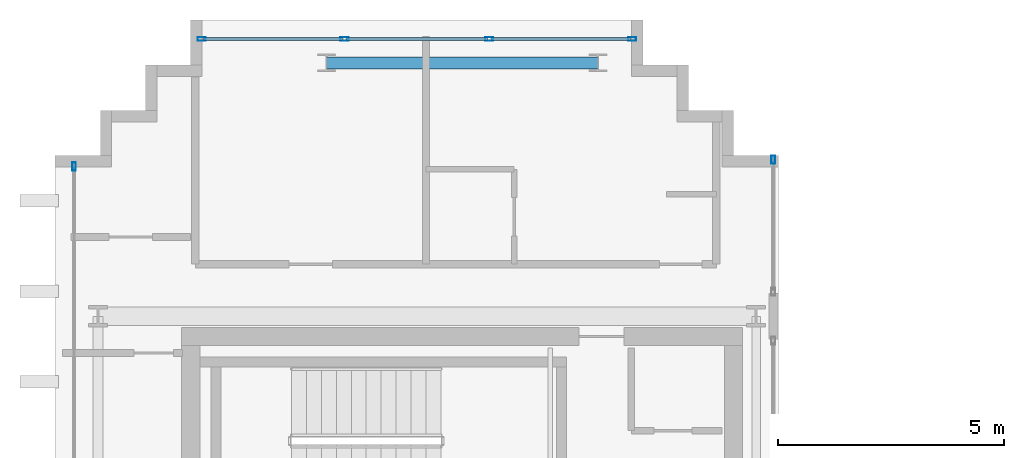
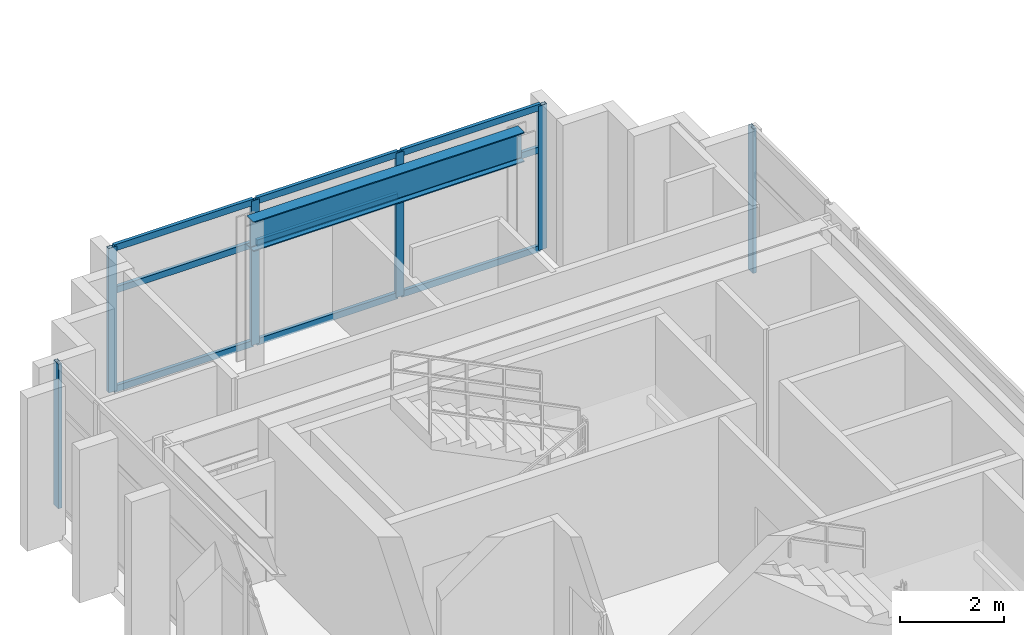
# One storey, part 16 of 25: 15 members, 1 beam, 3 elements without a shape of their own.
"""IFC4 building model written with IfcOpenShell, lengths in metres."""

from ifc_helpers import new_model, si_unit, direction, frame, origin, origin_2d, place, context, subcontext, project, spatial, hollow_rectangle, i_section, extrude, source, transform, mapped, material, layer, layer_set, material_profile, profile_set, type_object, element, aggregate, save


model = new_model("IFC4")

# Units and contexts
model_context = context("Model", 3, precision=1e-05, world=origin(), true_north=direction((0.0, 1.0)))
body_context = subcontext(model_context, "Body", "Model", "MODEL_VIEW")
ifc_project = project(units=[si_unit("LENGTHUNIT", "METRE"), si_unit("AREAUNIT", "SQUARE_METRE"), si_unit("VOLUMEUNIT", "CUBIC_METRE"), si_unit("PLANEANGLEUNIT", "RADIAN"), si_unit("MASSUNIT", "GRAM", prefix="KILO")], contexts=[model_context])

# Site, building, storey
site_placement = place(None, origin())
site = spatial("IfcSite", under=ifc_project, at=site_placement, CompositionType="ELEMENT")
building_placement = place(site_placement, origin())
building = spatial("IfcBuilding", under=site, at=building_placement, Name="Ocotamira Hotel", CompositionType="ELEMENT")
storey_placement = place(building_placement, frame((0.0, 0.0, 261.60009765625)))
storey = spatial("IfcBuildingStorey", under=building, at=storey_placement, Name="L66", CompositionType="ELEMENT", Elevation=261.60009765625)

# Beam
ifc_material_1 = material(Name="Steel ASTM A992 Grade 50", Category="steel")
ifc_material_profile_1 = material_profile(ifc_material_1, i_section(OverallWidth=0.256103515625, OverallDepth=0.693115234375, WebThickness=0.014404296875, FlangeThickness=0.023681640625, FilletRadius=0.01611328125, at=origin_2d()), Name="W27X114")
ifc_profile_set_1 = profile_set([ifc_material_profile_1], Name="Steel ASTM A992 Grade 50")
beam_type = type_object("IfcBeamType", Name="BM-PRIM-W27X114", PredefinedType="BEAM", material=ifc_profile_set_1)
shared_shape_1 = source(origin(), body_context, "Body", "SweptSolid", [
    extrude(i_section(OverallWidth=0.256103515625, OverallDepth=0.693115234375, WebThickness=0.014404296875, FlangeThickness=0.023681640625, FilletRadius=0.01611328125, at=origin_2d()), origin(), (0.0, 0.0, 1.0), 6.0),
])
beam_placement = place(storey_placement, frame((14.0, 43.050048828125, 3.033447265625), z_axis=(1.0, 0.0, 0.0), x_axis=(0.0, 1.0, 0.0)))
element("IfcBeam", 1, at=beam_placement, inside=storey, type_object=beam_type, Name="L66 Girder Y43.05 X14-20", PredefinedType="BEAM", context=body_context, shape_type="MappedRepresentation", body=[
    mapped(shared_shape_1, transform((0.0, 0.0, 0.0), scale=1.0)),
])

# Curtain wall, members
ifc_material_2 = material(Name="Anodised pale-metal aluminium and solar glass", Category="aluminium")
ifc_layer = layer(ifc_material_2, 0.2099609375)
ifc_layer_set = layer_set([ifc_layer], Name="Anodised pale-metal aluminium and solar glass")
curtain_wall_type = type_object("IfcCurtainWallType", Name="CW-SYS7-PEAK", PredefinedType="NOTDEFINED", material=ifc_layer_set)
curtain_wall_1_placement = place(storey_placement, origin())
curtain_wall_1 = element("IfcCurtainWall", 2, at=curtain_wall_1_placement, inside=storey, type_object=curtain_wall_type, Name="L66 Curtain Wall CW-7 CW-L66-WN", PredefinedType="NOTDEFINED")
ifc_material_3 = material(Name="Anodised pale-metal aluminium 6063-T6", Category="aluminium")
ifc_material_profile_2 = material_profile(ifc_material_3, hollow_rectangle(XDim=0.080078125, YDim=0.179931640625, WallThickness=0.006103515625, at=origin_2d()), Name="HSS180X80X6")
ifc_profile_set_2 = profile_set([ifc_material_profile_2], Name="Anodised pale-metal aluminium 6063-T6")
member_type_1 = type_object("IfcMemberType", Name="CWM-180X75", PredefinedType="MULLION", material=ifc_profile_set_2)
shared_shape_2 = source(origin(), body_context, "Body", "SweptSolid", [
    extrude(hollow_rectangle(XDim=0.080078125, YDim=0.179931640625, WallThickness=0.006103515625, at=origin_2d()), origin(), (0.0, 0.0, 1.0), 3.3798828125),
])
member_1_placement = place(storey_placement, frame((11.239990234375, 43.580078125, 0.0), z_axis=(0.0, 0.0, 1.0), x_axis=(0.0, 1.0, 0.0)))
member_1 = element("IfcMember", 3, at=member_1_placement, type_object=member_type_1, Name="CW-7 mullion 1", PredefinedType="MULLION", context=body_context, shape_type="MappedRepresentation", body=[
    mapped(shared_shape_2, transform((0.0, 0.0, 0.0), scale=1.0)),
])
member_2_placement = place(storey_placement, frame((14.39990234375, 43.580078125, 0.0), z_axis=(0.0, 0.0, 1.0), x_axis=(0.0, 1.0, 0.0)))
member_2 = element("IfcMember", 4, at=member_2_placement, type_object=member_type_1, Name="CW-7 mullion 2", PredefinedType="MULLION", context=body_context, shape_type="MappedRepresentation", body=[
    mapped(shared_shape_2, transform((0.0, 0.0, 0.0), scale=1.0)),
])
member_3_placement = place(storey_placement, frame((17.60009765625, 43.580078125, 0.0), z_axis=(0.0, 0.0, 1.0), x_axis=(0.0, 1.0, 0.0)))
member_3 = element("IfcMember", 5, at=member_3_placement, type_object=member_type_1, Name="CW-7 mullion 3", PredefinedType="MULLION", context=body_context, shape_type="MappedRepresentation", body=[
    mapped(shared_shape_2, transform((0.0, 0.0, 0.0), scale=1.0)),
])
member_4_placement = place(storey_placement, frame((20.760009765625, 43.580078125, 0.0), z_axis=(0.0, 0.0, 1.0), x_axis=(0.0, 1.0, 0.0)))
member_4 = element("IfcMember", 6, at=member_4_placement, type_object=member_type_1, Name="CW-7 mullion 4", PredefinedType="MULLION", context=body_context, shape_type="MappedRepresentation", body=[
    mapped(shared_shape_2, transform((0.0, 0.0, 0.0), scale=1.0)),
])

# Curtain wall, member
curtain_wall_2_placement = place(storey_placement, origin())
curtain_wall_2 = element("IfcCurtainWall", 7, at=curtain_wall_2_placement, inside=storey, type_object=curtain_wall_type, Name="L66 Curtain Wall CW-7 CW-L66-WO2", PredefinedType="NOTDEFINED")
member_5_placement = place(storey_placement, frame((8.419921875, 40.760009765625, 0.0), z_axis=(0.0, 0.0, 1.0), x_axis=(-1.0, 0.0, 0.0)))
member_5 = element("IfcMember", 8, at=member_5_placement, type_object=member_type_1, Name="CW-7 mullion 3", PredefinedType="MULLION", context=body_context, shape_type="MappedRepresentation", body=[
    mapped(shared_shape_2, transform((0.0, 0.0, 0.0), scale=1.0)),
])
aggregate(curtain_wall_2, [member_5])

curtain_wall_3_placement = place(storey_placement, origin())
curtain_wall_3 = element("IfcCurtainWall", 9, at=curtain_wall_3_placement, inside=storey, type_object=curtain_wall_type, Name="L66 Curtain Wall CW-7 CW-L66-WI4", PredefinedType="NOTDEFINED")
member_6_placement = place(storey_placement, frame((23.8798828125, 40.909912109375, 0.0), z_axis=(0.0, 0.0, 1.0), x_axis=(-1.0, 0.0, 0.0)))
member_6 = element("IfcMember", 10, at=member_6_placement, type_object=member_type_1, Name="CW-7 mullion 2", PredefinedType="MULLION", context=body_context, shape_type="MappedRepresentation", body=[
    mapped(shared_shape_2, transform((0.0, 0.0, 0.0), scale=1.0)),
])
aggregate(curtain_wall_3, [member_6])

# Member
ifc_material_profile_3 = material_profile(ifc_material_3, hollow_rectangle(XDim=0.074951171875, YDim=0.14990234375, WallThickness=0.006103515625, at=origin_2d()), Name="HSS150X75X6")
ifc_profile_set_3 = profile_set([ifc_material_profile_3], Name="Anodised pale-metal aluminium 6063-T6")
member_type_2 = type_object("IfcMemberType", Name="CWT-150X75", PredefinedType="USERDEFINED", material=ifc_profile_set_3)
shared_shape_3 = source(origin(), body_context, "Body", "SweptSolid", [
    extrude(hollow_rectangle(XDim=0.074951171875, YDim=0.14990234375, WallThickness=0.006103515625, at=origin_2d()), origin(), (0.0, 0.0, 1.0), 3.080078125),
])
member_7_placement = place(storey_placement, frame((11.280029296875, 43.580078125, 0.037353515625), z_axis=(1.0, 0.0, 0.0), x_axis=(0.0, 1.0, 0.0)))
member_7 = element("IfcMember", 11, at=member_7_placement, type_object=member_type_2, Name="CW-7 transom 1.1", ObjectType="TRANSOM", PredefinedType="USERDEFINED", context=body_context, shape_type="MappedRepresentation", body=[
    mapped(shared_shape_3, transform((0.0, 0.0, 0.0), scale=1.0)),
])

member_8_placement = place(storey_placement, frame((11.280029296875, 43.580078125, 2.349853515625), z_axis=(1.0, 0.0, 0.0), x_axis=(0.0, 1.0, 0.0)))
member_8 = element("IfcMember", 12, at=member_8_placement, type_object=member_type_2, Name="CW-7 transom 1.2", ObjectType="TRANSOM", PredefinedType="USERDEFINED", context=body_context, shape_type="MappedRepresentation", body=[
    mapped(shared_shape_3, transform((0.0, 0.0, 0.0), scale=1.0)),
])

member_9_placement = place(storey_placement, frame((11.280029296875, 43.580078125, 3.34228515625), z_axis=(1.0, 0.0, 0.0), x_axis=(0.0, 1.0, 0.0)))
member_9 = element("IfcMember", 13, at=member_9_placement, type_object=member_type_2, Name="CW-7 transom 1.3", ObjectType="TRANSOM", PredefinedType="USERDEFINED", context=body_context, shape_type="MappedRepresentation", body=[
    mapped(shared_shape_3, transform((0.0, 0.0, 0.0), scale=1.0)),
])

member_10_placement = place(storey_placement, frame((17.639892578125, 43.580078125, 0.037353515625), z_axis=(1.0, 0.0, 0.0), x_axis=(0.0, 1.0, 0.0)))
member_10 = element("IfcMember", 14, at=member_10_placement, type_object=member_type_2, Name="CW-7 transom 3.1", ObjectType="TRANSOM", PredefinedType="USERDEFINED", context=body_context, shape_type="MappedRepresentation", body=[
    mapped(shared_shape_3, transform((0.0, 0.0, 0.0), scale=1.0)),
])

member_11_placement = place(storey_placement, frame((17.639892578125, 43.580078125, 2.349853515625), z_axis=(1.0, 0.0, 0.0), x_axis=(0.0, 1.0, 0.0)))
member_11 = element("IfcMember", 15, at=member_11_placement, type_object=member_type_2, Name="CW-7 transom 3.2", ObjectType="TRANSOM", PredefinedType="USERDEFINED", context=body_context, shape_type="MappedRepresentation", body=[
    mapped(shared_shape_3, transform((0.0, 0.0, 0.0), scale=1.0)),
])

member_12_placement = place(storey_placement, frame((17.639892578125, 43.580078125, 3.34228515625), z_axis=(1.0, 0.0, 0.0), x_axis=(0.0, 1.0, 0.0)))
member_12 = element("IfcMember", 16, at=member_12_placement, type_object=member_type_2, Name="CW-7 transom 3.3", ObjectType="TRANSOM", PredefinedType="USERDEFINED", context=body_context, shape_type="MappedRepresentation", body=[
    mapped(shared_shape_3, transform((0.0, 0.0, 0.0), scale=1.0)),
])

shared_shape_4 = source(origin(), body_context, "Body", "SweptSolid", [
    extrude(hollow_rectangle(XDim=0.074951171875, YDim=0.14990234375, WallThickness=0.006103515625, at=origin_2d()), origin(), (0.0, 0.0, 1.0), 3.1201171875),
])
member_13_placement = place(storey_placement, frame((14.43994140625, 43.580078125, 0.037353515625), z_axis=(1.0, 0.0, 0.0), x_axis=(0.0, 1.0, 0.0)))
member_13 = element("IfcMember", 17, at=member_13_placement, type_object=member_type_2, Name="CW-7 transom 2.1", ObjectType="TRANSOM", PredefinedType="USERDEFINED", context=body_context, shape_type="MappedRepresentation", body=[
    mapped(shared_shape_4, transform((0.0, 0.0, 0.0), scale=1.0)),
])

member_14_placement = place(storey_placement, frame((14.43994140625, 43.580078125, 2.349853515625), z_axis=(1.0, 0.0, 0.0), x_axis=(0.0, 1.0, 0.0)))
member_14 = element("IfcMember", 18, at=member_14_placement, type_object=member_type_2, Name="CW-7 transom 2.2", ObjectType="TRANSOM", PredefinedType="USERDEFINED", context=body_context, shape_type="MappedRepresentation", body=[
    mapped(shared_shape_4, transform((0.0, 0.0, 0.0), scale=1.0)),
])

member_15_placement = place(storey_placement, frame((14.43994140625, 43.580078125, 3.34228515625), z_axis=(1.0, 0.0, 0.0), x_axis=(0.0, 1.0, 0.0)))
member_15 = element("IfcMember", 19, at=member_15_placement, type_object=member_type_2, Name="CW-7 transom 2.3", ObjectType="TRANSOM", PredefinedType="USERDEFINED", context=body_context, shape_type="MappedRepresentation", body=[
    mapped(shared_shape_4, transform((0.0, 0.0, 0.0), scale=1.0)),
])

aggregate(curtain_wall_1, [member_1, member_2, member_3, member_4, member_7, member_8, member_9, member_13, member_14, member_15, member_10, member_11, member_12])

save(model, "model.ifc")
